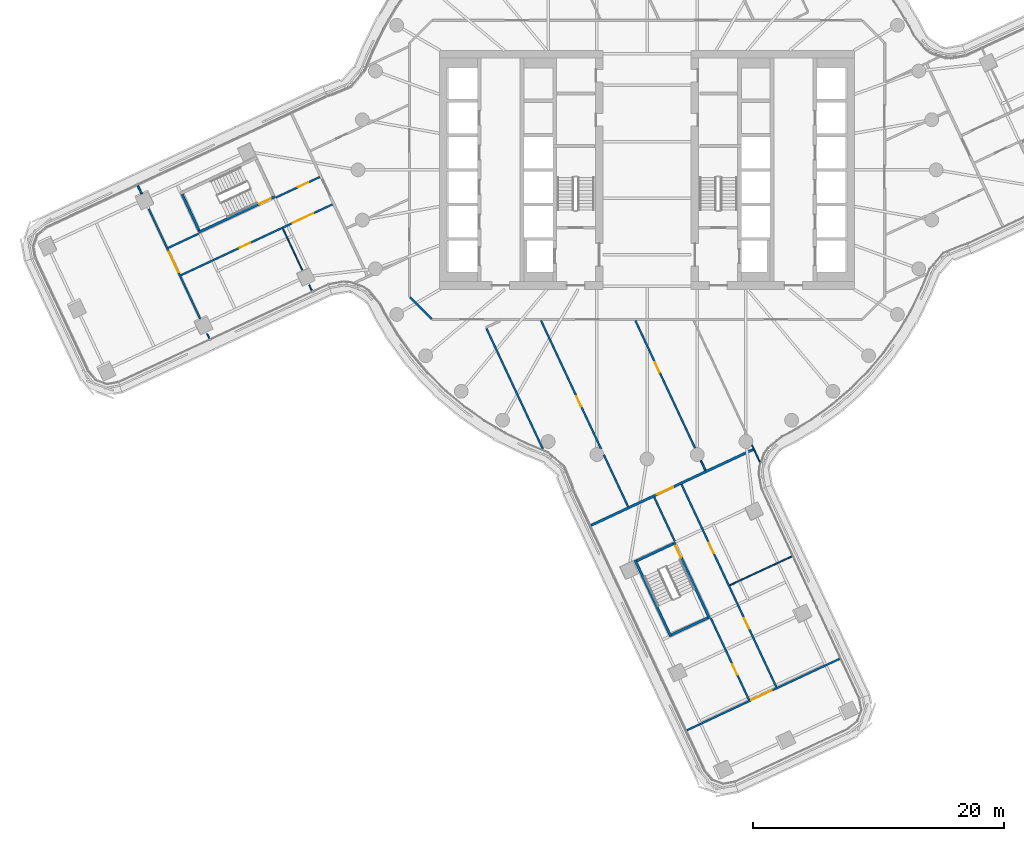
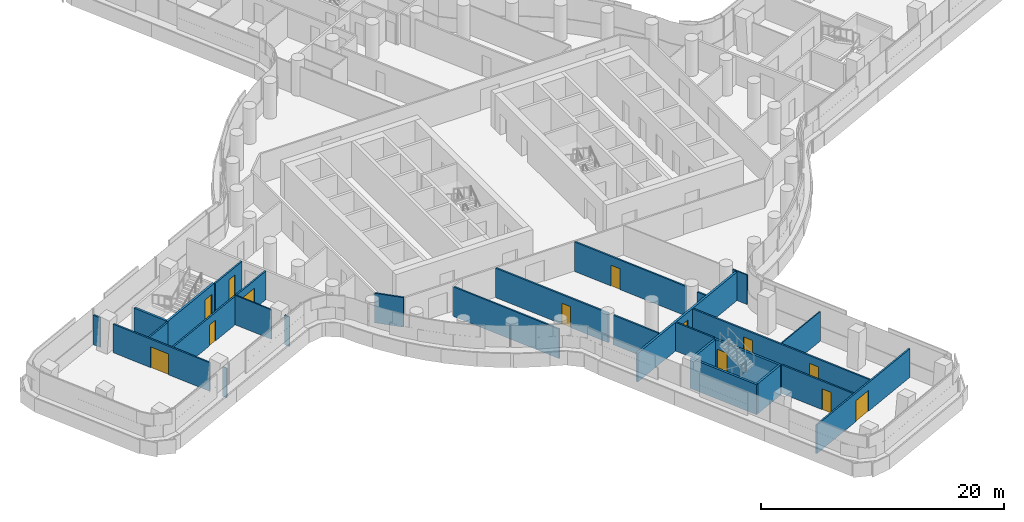
# One storey, part 23 of 36: 27 walls, 13 doors, 13 openings.
"""IFC4 building model written with IfcOpenShell, lengths in metres."""

import ifcopenshell
import ifcopenshell.guid

model = None  # the IFC model being written
_history = None  # IfcOwnerHistory: only IFC2X3 demands one
_inside = {}  # id of a spatial element -> (the spatial element, [elements in it])
_under = {}  # id of a project, library or spatial element -> (it, [spatial elements below it])
_declared = {}  # id of a project -> (the project, [libraries it declares])
_typed = {}  # id of a type object -> (the type object, [elements of that type])
_made_of = {}  # id of a material, layer set ... -> (it, [elements and type objects made of it])


def new_model(schema):
    """Start an empty IFC model of exactly this schema.

    Asked for "IFC4X3", IfcOpenShell would pick the latest addendum, in which some entities
    have other attributes; the version numbers below select the first issue.
    IFC2X3 requires an IfcOwnerHistory on every rooted entity: one is made here for all.
    """
    global model, _history
    if schema == "IFC4X3":
        model = ifcopenshell.file(schema_version=(4, 3, 0, 0))
    else:
        model = ifcopenshell.file(schema=schema)
    _inside.clear()
    _under.clear()
    _declared.clear()
    _typed.clear()
    _made_of.clear()
    _history = None
    if model.schema == "IFC2X3":
        org = make("IfcOrganization", Name="unknown")
        user = make(
            "IfcPersonAndOrganization",
            ThePerson=make("IfcPerson", FamilyName="unknown"),
            TheOrganization=org,
        )
        app = make(
            "IfcApplication",
            ApplicationDeveloper=org,
            Version="unknown",
            ApplicationFullName="unknown",
            ApplicationIdentifier="unknown",
        )
        _history = make(
            "IfcOwnerHistory",
            OwningUser=user,
            OwningApplication=app,
            ChangeAction="ADDED",
            CreationDate=0,
        )
    return model


def make(cls, **values):
    """One entity of the class cls with the attributes given. An attribute that is None is left unset."""
    return model.create_entity(
        cls, **{name: value for name, value in values.items() if value is not None}
    )


def rooted(cls, **values):
    """An entity with a GlobalId (a new one), such as an element, a storey or a relation."""
    return make(cls, GlobalId=ifcopenshell.guid.new(), OwnerHistory=_history, **values)


def si_unit(unit_type, name, prefix=None):
    """IfcSIUnit, for example si_unit("LENGTHUNIT", "METRE", prefix="MILLI")."""
    return make("IfcSIUnit", UnitType=unit_type, Prefix=prefix, Name=name)


def assignment(units):
    """IfcUnitAssignment: the units of a project."""
    return None if units is None else make("IfcUnitAssignment", Units=units)


def point(xyz):
    """IfcCartesianPoint."""
    return None if xyz is None else make("IfcCartesianPoint", Coordinates=xyz)


def direction(xyz):
    """IfcDirection."""
    return None if xyz is None else make("IfcDirection", DirectionRatios=xyz)


def frame(location, z_axis=None, x_axis=None):
    """IfcAxis2Placement3D, a coordinate frame: its origin and axes. An axis left out is left unset."""
    return make(
        "IfcAxis2Placement3D",
        Location=point(location),
        Axis=direction(z_axis),
        RefDirection=direction(x_axis),
    )


def frame_2d(location, x_axis=None):
    """IfcAxis2Placement2D, a coordinate frame in the plane: its origin and x axis."""
    return make(
        "IfcAxis2Placement2D", Location=point(location), RefDirection=direction(x_axis)
    )


def origin():
    """The frame at (0, 0, 0) with its axes left unset."""
    return frame((0.0, 0.0, 0.0))


def place(relative_to, where):
    """IfcLocalPlacement: puts the frame where relative to a parent placement (None: the world)."""
    return make(
        "IfcLocalPlacement", PlacementRelTo=relative_to, RelativePlacement=where
    )


def context(
    kind, dimensions, precision=None, world=None, true_north=None, identifier=None
):
    """IfcGeometricRepresentationContext, for example the 3D "Model" context."""
    return make(
        "IfcGeometricRepresentationContext",
        ContextIdentifier=identifier,
        ContextType=kind,
        CoordinateSpaceDimension=dimensions,
        Precision=precision,
        WorldCoordinateSystem=world,
        TrueNorth=true_north,
    )


def subcontext(parent, identifier, kind, view, scale=None):
    """IfcGeometricRepresentationSubContext, for example "Body" below "Model"."""
    return make(
        "IfcGeometricRepresentationSubContext",
        ContextIdentifier=identifier,
        ContextType=kind,
        ParentContext=parent,
        TargetScale=scale,
        TargetView=view,
    )


def project(units=None, contexts=None):
    """IfcProject with its units and contexts."""
    return rooted(
        "IfcProject",
        Name="project",
        RepresentationContexts=contexts,
        UnitsInContext=assignment(units),
    )


def spatial(cls, under=None, at=None, **own):
    """A site, building, storey or space (cls), placed at a placement, below another one or the project."""
    s = rooted(cls, ObjectPlacement=at, **own)
    if under is not None:
        _under.setdefault(under.id(), (under, []))[1].append(s)
    return s


def polyline(points):
    """IfcPolyline through the points."""
    return make("IfcPolyline", Points=[point(p) for p in points])


def profile(cls, at=None, kind="AREA", **sizes):
    """A parametric profile (cls). Its sizes go by their IFC names, for example OverallWidth=200.0."""
    return make(cls, ProfileType=kind, Position=at, **sizes)


def rectangle(**sizes):
    """IfcRectangleProfileDef."""
    return profile("IfcRectangleProfileDef", **sizes)


def outline(outer, holes=None, kind="AREA"):
    """IfcArbitraryClosedProfileDef: a profile drawn as a closed curve; with holes, ...WithVoids."""
    if holes is None:
        return make("IfcArbitraryClosedProfileDef", ProfileType=kind, OuterCurve=outer)
    return make(
        "IfcArbitraryProfileDefWithVoids",
        ProfileType=kind,
        OuterCurve=outer,
        InnerCurves=holes,
    )


def extrude(swept, where, along, depth):
    """IfcExtrudedAreaSolid: the profile swept, set in the frame where, extruded along a direction by depth."""
    return make(
        "IfcExtrudedAreaSolid",
        SweptArea=swept,
        Position=where,
        ExtrudedDirection=direction(along),
        Depth=depth,
    )


def shape(context_of_items, identifier, shape_type, items):
    """IfcShapeRepresentation: the items that make up one representation, for example the "Body"."""
    return make(
        "IfcShapeRepresentation",
        ContextOfItems=context_of_items,
        RepresentationIdentifier=identifier,
        RepresentationType=shape_type,
        Items=items,
    )


def material(Name=None, Category=None):
    """IfcMaterial."""
    return make("IfcMaterial", Name=Name, Category=Category)


def layer(
    of_material, thickness, ventilated=None, Name=None, Category=None, Priority=None
):
    """IfcMaterialLayer: one layer of a wall or slab, of a material (None: an air gap)."""
    return make(
        "IfcMaterialLayer",
        Material=of_material,
        LayerThickness=thickness,
        IsVentilated=ventilated,
        Name=Name,
        Category=Category,
        Priority=Priority,
    )


def layer_set(layers, Name=None):
    """IfcMaterialLayerSet."""
    return make("IfcMaterialLayerSet", MaterialLayers=layers, LayerSetName=Name)


def made_of(thing, what):
    """Note that an element or type object is made of a material, layer set ...; save() writes the relation."""
    if what is not None:
        _made_of.setdefault(what.id(), (what, []))[1].append(thing)
    return thing


def type_object(cls, material=None, **own):
    """A type object (cls), such as IfcWallType, which elements share."""
    return made_of(rooted(cls, **own), material)


def element(
    cls,
    number,
    at=None,
    inside=None,
    cuts=None,
    type_object=None,
    material=None,
    context=None,
    identifier="Body",
    shape_type=None,
    held_by="IfcProductDefinitionShape",
    body=None,
    shapes=None,
    **own,
):
    """One element of the class cls, such as IfcWall. Its Tag is "e" and its number.

    at: its placement. inside: the storey or other place that contains it. cuts: it is an
    opening in that element (IfcRelVoidsElement). A single representation is given by context,
    identifier, shape_type and body (its items); several are given by shapes. held_by: the class
    of the entity that holds the representations. save() writes the other relations.
    """
    e = rooted(cls, Tag="e%d" % number, ObjectPlacement=at, **own)
    if body is not None:
        shapes = [shape(context, identifier, shape_type, body)]
    if shapes is not None:
        e.Representation = make(held_by, Representations=shapes)
    if inside is not None:
        _inside.setdefault(inside.id(), (inside, []))[1].append(e)
    if cuts is not None:
        rooted(
            "IfcRelVoidsElement", RelatingBuildingElement=cuts, RelatedOpeningElement=e
        )
    if type_object is not None:
        _typed.setdefault(type_object.id(), (type_object, []))[1].append(e)
    return made_of(e, material)


def fill(opening, filler):
    """IfcRelFillsElement: the door or window that sits in an opening."""
    return rooted(
        "IfcRelFillsElement",
        RelatingOpeningElement=opening,
        RelatedBuildingElement=filler,
    )


def aggregate(whole, parts):
    """IfcRelAggregates: a whole, such as a stair, and the parts it consists of."""
    return rooted("IfcRelAggregates", RelatingObject=whole, RelatedObjects=parts)


def save(model, path):
    """Write the relations noted so far, then the file.

    IfcRelAggregates (storeys below a building ...), IfcRelContainedInSpatialStructure (elements
    in a storey), IfcRelDefinesByType, IfcRelAssociatesMaterial and IfcRelDeclares: one each for
    every whole, place, type object, material and project.
    """
    for whole, parts in _under.values():
        aggregate(whole, parts)
    for where, things in _inside.values():
        rooted(
            "IfcRelContainedInSpatialStructure",
            RelatedElements=things,
            RelatingStructure=where,
        )
    for kind, things in _typed.values():
        rooted("IfcRelDefinesByType", RelatedObjects=things, RelatingType=kind)
    for what, things in _made_of.values():
        rooted("IfcRelAssociatesMaterial", RelatedObjects=things, RelatingMaterial=what)
    for by, libraries in _declared.values():
        rooted("IfcRelDeclares", RelatingContext=by, RelatedDefinitions=libraries)
    model.write(path)


model = new_model("IFC4")

# Units and contexts
model_context = context("Model", 3, precision=1e-05, world=origin(), true_north=direction((0.0, 1.0)))
body_context = subcontext(model_context, "Body", "Model", "MODEL_VIEW")
ifc_project = project(units=[si_unit("LENGTHUNIT", "METRE"), si_unit("AREAUNIT", "SQUARE_METRE"), si_unit("VOLUMEUNIT", "CUBIC_METRE"), si_unit("PLANEANGLEUNIT", "RADIAN"), si_unit("MASSUNIT", "GRAM", prefix="KILO")], contexts=[model_context])

# Site, building, storey
site_placement = place(None, origin())
site = spatial("IfcSite", under=ifc_project, at=site_placement, CompositionType="ELEMENT")
building_placement = place(site_placement, origin())
building = spatial("IfcBuilding", under=site, at=building_placement, Name="Tamarind Cross Interchange Tower", CompositionType="ELEMENT")
storey_placement = place(building_placement, frame((0.0, 0.0, 124.75)))
storey = spatial("IfcBuildingStorey", under=building, at=storey_placement, Name="L30", CompositionType="ELEMENT", Elevation=124.75)

# Walls
ifc_material_1 = material(Name="Gypsum board partition on steel studs", Category="steel")
ifc_layer_1 = layer(ifc_material_1, 0.10009765625)
ifc_layer_set_1 = layer_set([ifc_layer_1], Name="Gypsum board partition on steel studs")
wall_type_1 = type_object("IfcWallType", Name="Partition 100 mm EI 90", PredefinedType="PARTITIONING", material=ifc_layer_set_1)
wall_1_placement = place(storey_placement, frame((-34.99755859375, -13.043212890625, 0.0), z_axis=(0.0, 0.0, 1.0), x_axis=(0.423605928127, -0.905846575119, 0.0)))
element("IfcWall", 1, at=wall_1_placement, inside=storey, type_object=wall_type_1, Name="Partition L30-003", PredefinedType="PARTITIONING", context=body_context, shape_type="SweptSolid", body=[
    extrude(rectangle(XDim=0.407958984375, YDim=0.10009765625, at=frame_2d((0.2041015625, 0.0))), origin(), (0.0, 0.0, 1.0), 2.969970703125),
])
wall_2_placement = place(storey_placement, frame((-28.977294921875, -4.6728515625, 0.0), z_axis=(0.0, 0.0, 1.0), x_axis=(0.423841599809, -0.905736329332, 0.0)))
element("IfcWall", 2, at=wall_2_placement, inside=storey, type_object=wall_type_1, Name="Partition L30-004", PredefinedType="PARTITIONING", context=body_context, shape_type="SweptSolid", body=[
    extrude(rectangle(XDim=3.633544921875, YDim=0.10009765625, at=frame_2d((1.81689453125, 0.0))), origin(), (0.0, 0.0, 1.0), 2.969970703125),
])
wall_3_placement = place(storey_placement, frame((-26.8798828125, -9.154541015625, 0.0), z_axis=(0.0, 0.0, 1.0), x_axis=(0.423519130121, -0.905887159872, 0.0)))
element("IfcWall", 3, at=wall_3_placement, inside=storey, type_object=wall_type_1, Name="Partition L30-005", PredefinedType="PARTITIONING", context=body_context, shape_type="SweptSolid", body=[
    extrude(rectangle(XDim=0.506103515625, YDim=0.10009765625, at=frame_2d((0.2529296875, 0.0))), origin(), (0.0, 0.0, 1.0), 2.969970703125),
])
wall_4_placement = place(storey_placement, frame((8.343994140625, -21.900390625, 0.0), z_axis=(0.0, 0.0, 1.0), x_axis=(0.423763938656, -0.905772667006, 0.0)))
element("IfcWall", 4, at=wall_4_placement, inside=storey, type_object=wall_type_1, Name="Partition L30-028", PredefinedType="PARTITIONING", context=body_context, shape_type="SweptSolid", body=[
    extrude(rectangle(XDim=1.475341796875, YDim=0.10009765625, at=frame_2d((0.73779296875, 0.0))), origin(), (0.0, 0.0, 1.0), 2.969970703125),
])
wall_5_placement = place(storey_placement, frame((6.579833984375, -33.05322265625, 0.0), z_axis=(0.0, 0.0, 1.0), x_axis=(0.905786512013, 0.423734344438, 0.0)))
element("IfcWall", 5, at=wall_5_placement, inside=storey, type_object=wall_type_1, Name="Partition L30-067", PredefinedType="PARTITIONING", context=body_context, shape_type="SweptSolid", body=[
    extrude(rectangle(XDim=5.446533203125, YDim=0.10009765625, at=frame_2d((2.72314453125, 0.0))), origin(), (0.0, 0.0, 1.0), 2.969970703125),
])
ifc_layer_2 = layer(ifc_material_1, 0.14990234375)
ifc_layer_set_2 = layer_set([ifc_layer_2], Name="Gypsum board partition on steel studs")
wall_type_2 = type_object("IfcWallType", Name="Partition 150 mm EI 120", PredefinedType="PARTITIONING", material=ifc_layer_set_2)
wall_6_placement = place(storey_placement, frame((-40.508544921875, -1.26416015625, 0.0), z_axis=(0.0, 0.0, 1.0), x_axis=(0.423771735818, -0.905769019078, 0.0)))
element("IfcWall", 6, at=wall_6_placement, inside=storey, type_object=wall_type_2, Name="Partition L30-001", PredefinedType="PARTITIONING", context=body_context, shape_type="SweptSolid", body=[
    extrude(rectangle(XDim=0.708740234375, YDim=0.14990234375, at=frame_2d((0.3544921875, 0.0))), origin(), (0.0, 0.0, 1.0), 2.969970703125),
])

# Wall, opening, door
wall_7_placement = place(storey_placement, frame((-39.651123046875, -3.0966796875, 0.0), z_axis=(0.0, 0.0, 1.0), x_axis=(0.423775684495, -0.905767171646, 0.0)))
wall_7 = element("IfcWall", 7, at=wall_7_placement, inside=storey, type_object=wall_type_2, Name="Partition L30-002", PredefinedType="PARTITIONING", context=body_context, shape_type="SweptSolid", body=[
    extrude(rectangle(XDim=9.66650390625, YDim=0.14990234375, at=frame_2d((4.833251953125, 0.0))), origin(), (0.0, 0.0, 1.0), 2.8701171875),
])
opening_1_placement = place(wall_7_placement, frame((3.77587890625, 0.0, 0.0)))
opening_1 = element("IfcOpeningElement", 8, at=opening_1_placement, cuts=wall_7, Name="Opening D01", PredefinedType="OPENING", context=body_context, shape_type="SweptSolid", body=[
    extrude(rectangle(XDim=1.800048828125, YDim=2.10009765625, at=frame_2d((0.89990234375, 1.050048828125))), frame((0.0, 0.0849609375, 0.0), z_axis=(0.0, -1.0, 0.0), x_axis=(1.0, 0.0, 0.0)), (0.0, 0.0, 1.0), 0.169921875),
])
ifc_material_2 = material(Name="Fire-resisting door set")
door_type_1 = type_object("IfcDoorType", Name="Interior door 1800 x 2100 FD60S", OperationType="DOUBLE_DOOR_SINGLE_SWING", PredefinedType="DOOR", material=ifc_material_2)
door_1_placement = place(opening_1_placement, frame((1.800048828125, 0.0, 0.0), z_axis=(0.0, 0.0, 1.0), x_axis=(-1.0, 0.0, 0.0)))
door_1 = element("IfcDoor", 9, at=door_1_placement, inside=storey, type_object=door_type_1, Name="Door D01", OperationType="DOUBLE_DOOR_SINGLE_SWING", OverallHeight=2.10009765625, OverallWidth=1.800048828125, PredefinedType="DOOR", context=body_context, shape_type="SweptSolid", body=[
    extrude(rectangle(XDim=1.800048828125, YDim=2.10009765625, at=frame_2d((0.89990234375, 1.050048828125))), frame((0.0, 0.02490234375, 0.0), z_axis=(0.0, -1.0, 0.0), x_axis=(1.0, 0.0, 0.0)), (0.0, 0.0, 1.0), 0.050048828125),
])
fill(opening_1, door_1)

# Wall
wall_8_placement = place(storey_placement, frame((-12.78515625, -12.60791015625, 0.0), z_axis=(0.0, 0.0, 1.0), x_axis=(0.423824721298, -0.905744227482, 0.0)))
element("IfcWall", 10, at=wall_8_placement, inside=storey, type_object=wall_type_2, Name="Partition L30-007", PredefinedType="PARTITIONING", context=body_context, shape_type="SweptSolid", body=[
    extrude(rectangle(XDim=10.5986328125, YDim=0.14990234375, at=frame_2d((5.29931640625, 0.0))), origin(), (0.0, 0.0, 1.0), 2.969970703125),
])

# Wall, opening, door
wall_9_placement = place(storey_placement, frame((-8.4375, -11.990478515625, 0.0), z_axis=(0.0, 0.0, 1.0), x_axis=(0.423822202293, -0.905745406195, 0.0)))
wall_9 = element("IfcWall", 11, at=wall_9_placement, inside=storey, type_object=wall_type_2, Name="Partition L30-011", PredefinedType="PARTITIONING", context=body_context, shape_type="SweptSolid", body=[
    extrude(rectangle(XDim=11.311767578125, YDim=0.14990234375, at=frame_2d((5.65576171875, 0.0))), origin(), (0.0, 0.0, 1.0), 2.969970703125),
])
opening_2_placement = place(wall_9_placement, frame((6.64990234375, 0.0, 0.0)))
opening_2 = element("IfcOpeningElement", 12, at=opening_2_placement, cuts=wall_9, Name="Opening D08", PredefinedType="OPENING", context=body_context, shape_type="SweptSolid", body=[
    extrude(rectangle(XDim=0.89990234375, YDim=2.10009765625, at=frame_2d((0.449951171875, 1.050048828125))), frame((0.0, 0.0849609375, 0.0), z_axis=(0.0, -1.0, 0.0), x_axis=(1.0, 0.0, 0.0)), (0.0, 0.0, 1.0), 0.169921875),
])
door_type_2 = type_object("IfcDoorType", Name="Interior door 900 x 2100 FD60S", OperationType="SINGLE_SWING_LEFT", PredefinedType="DOOR", material=ifc_material_2)
door_2_placement = place(opening_2_placement, frame((0.89990234375, 0.0, 0.0), z_axis=(0.0, 0.0, 1.0), x_axis=(-1.0, 0.0, 0.0)))
door_2 = element("IfcDoor", 13, at=door_2_placement, inside=storey, type_object=door_type_2, Name="Door D08", OperationType="SINGLE_SWING_RIGHT", OverallHeight=2.10009765625, OverallWidth=0.89990234375, PredefinedType="DOOR", context=body_context, shape_type="SweptSolid", body=[
    extrude(rectangle(XDim=0.89990234375, YDim=2.10009765625, at=frame_2d((0.449951171875, 1.050048828125))), frame((0.0, 0.02490234375, 0.0), z_axis=(0.0, -1.0, 0.0), x_axis=(1.0, 0.0, 0.0)), (0.0, 0.0, 1.0), 0.050048828125),
])
fill(opening_2, door_2)

# Wall
wall_10_placement = place(storey_placement, frame((-3.439697265625, -22.671630859375, 0.0), z_axis=(0.0, 0.0, 1.0), x_axis=(0.423855723132, -0.905729720153, 0.0)))
element("IfcWall", 14, at=wall_10_placement, inside=storey, type_object=wall_type_2, Name="Partition L30-012", PredefinedType="PARTITIONING", context=body_context, shape_type="SweptSolid", body=[
    extrude(rectangle(XDim=4.544677734375, YDim=0.14990234375, at=frame_2d((2.2724609375, 0.0))), origin(), (0.0, 0.0, 1.0), 2.969970703125),
])

# Wall, opening, door
wall_11_placement = place(storey_placement, frame((-0.9296875, -11.990478515625, 0.0), z_axis=(0.0, 0.0, 1.0), x_axis=(0.42379671438, -0.905757332226, 0.0)))
wall_11 = element("IfcWall", 15, at=wall_11_placement, inside=storey, type_object=wall_type_2, Name="Partition L30-018", PredefinedType="PARTITIONING", context=body_context, shape_type="SweptSolid", body=[
    extrude(rectangle(XDim=11.203125, YDim=0.14990234375, at=frame_2d((5.6015625, 0.0))), origin(), (0.0, 0.0, 1.0), 2.969970703125),
])
opening_3_placement = place(wall_11_placement, frame((3.64990234375, 0.0, 0.0)))
opening_3 = element("IfcOpeningElement", 16, at=opening_3_placement, cuts=wall_11, Name="Opening D14", PredefinedType="OPENING", context=body_context, shape_type="SweptSolid", body=[
    extrude(rectangle(XDim=0.89990234375, YDim=2.10009765625, at=frame_2d((0.449951171875, 1.050048828125))), frame((0.0, 0.0849609375, 0.0), z_axis=(0.0, -1.0, 0.0), x_axis=(1.0, 0.0, 0.0)), (0.0, 0.0, 1.0), 0.169921875),
])
door_3_placement = place(opening_3_placement, origin())
door_3 = element("IfcDoor", 17, at=door_3_placement, inside=storey, type_object=door_type_2, Name="Door D14", OperationType="SINGLE_SWING_RIGHT", OverallHeight=2.10009765625, OverallWidth=0.89990234375, PredefinedType="DOOR", context=body_context, shape_type="SweptSolid", body=[
    extrude(rectangle(XDim=0.89990234375, YDim=2.10009765625, at=frame_2d((0.449951171875, 1.050048828125))), frame((0.0, 0.02490234375, 0.0), z_axis=(0.0, -1.0, 0.0), x_axis=(1.0, 0.0, 0.0)), (0.0, 0.0, 1.0), 0.050048828125),
])
fill(opening_3, door_3)

# Walls
wall_12_placement = place(storey_placement, frame((4.281494140625, -23.1279296875, 0.0), z_axis=(0.0, 0.0, 1.0), x_axis=(0.423756569473, -0.905776114627, 0.0)))
element("IfcWall", 18, at=wall_12_placement, inside=storey, type_object=wall_type_2, Name="Partition L30-019", PredefinedType="PARTITIONING", context=body_context, shape_type="SweptSolid", body=[
    extrude(rectangle(XDim=0.859130859375, YDim=0.14990234375, at=frame_2d((0.4296875, 0.0))), origin(), (0.0, 0.0, 1.0), 2.8701171875),
])
wall_13_placement = place(storey_placement, frame((0.56640625, -26.04052734375, 0.0), z_axis=(0.0, 0.0, 1.0), x_axis=(0.423709382573, -0.905798188958, 0.0)))
element("IfcWall", 19, at=wall_13_placement, inside=storey, type_object=wall_type_2, Name="Partition L30-021", PredefinedType="PARTITIONING", context=body_context, shape_type="SweptSolid", body=[
    extrude(rectangle(XDim=3.85986328125, YDim=0.14990234375, at=frame_2d((1.929931640625, 0.0))), origin(), (0.0, 0.0, 1.0), 2.8701171875),
])

# Wall, opening, door
wall_14_placement = place(storey_placement, frame((5.07470703125, -35.678466796875, 0.0), z_axis=(0.0, 0.0, 1.0), x_axis=(0.423708057889, -0.905798808611, 0.0)))
wall_14 = element("IfcWall", 20, at=wall_14_placement, inside=storey, type_object=wall_type_2, Name="Partition L30-022", PredefinedType="PARTITIONING", context=body_context, shape_type="SweptSolid", body=[
    extrude(rectangle(XDim=7.179931640625, YDim=0.14990234375, at=frame_2d((3.58984375, 0.0))), origin(), (0.0, 0.0, 1.0), 2.8701171875),
])
opening_4_placement = place(wall_14_placement, frame((4.050048828125, 0.0, 0.0)))
opening_4 = element("IfcOpeningElement", 21, at=opening_4_placement, cuts=wall_14, Name="Opening D16", PredefinedType="OPENING", context=body_context, shape_type="SweptSolid", body=[
    extrude(rectangle(XDim=0.89990234375, YDim=2.10009765625, at=frame_2d((0.449951171875, 1.050048828125))), frame((0.0, 0.0849609375, 0.0), z_axis=(0.0, -1.0, 0.0), x_axis=(1.0, 0.0, 0.0)), (0.0, 0.0, 1.0), 0.169921875),
])
door_4_placement = place(opening_4_placement, frame((0.89990234375, 0.0, 0.0), z_axis=(0.0, 0.0, 1.0), x_axis=(-1.0, 0.0, 0.0)))
door_4 = element("IfcDoor", 22, at=door_4_placement, inside=storey, type_object=door_type_2, Name="Door D16", OperationType="SINGLE_SWING_RIGHT", OverallHeight=2.10009765625, OverallWidth=0.89990234375, PredefinedType="DOOR", context=body_context, shape_type="SweptSolid", body=[
    extrude(rectangle(XDim=0.89990234375, YDim=2.10009765625, at=frame_2d((0.449951171875, 1.050048828125))), frame((0.0, 0.02490234375, 0.0), z_axis=(0.0, -1.0, 0.0), x_axis=(1.0, 0.0, 0.0)), (0.0, 0.0, 1.0), 0.050048828125),
])
fill(opening_4, door_4)

# Wall, openings, doors
wall_15_placement = place(storey_placement, frame((2.741455078125, -25.028076171875, 0.0), z_axis=(0.0, 0.0, 1.0), x_axis=(0.423815496234, -0.905748544107, 0.0)))
wall_15 = element("IfcWall", 23, at=wall_15_placement, inside=storey, type_object=wall_type_2, Name="Partition L30-024", PredefinedType="PARTITIONING", context=body_context, shape_type="SweptSolid", body=[
    extrude(rectangle(XDim=17.815673828125, YDim=0.14990234375, at=frame_2d((8.90771484375, 0.0))), origin(), (0.0, 0.0, 1.0), 2.8701171875),
])
opening_5_placement = place(wall_15_placement, frame((5.14501953125, 0.0, 0.0)))
opening_5 = element("IfcOpeningElement", 24, at=opening_5_placement, cuts=wall_15, Name="Opening D18", PredefinedType="OPENING", context=body_context, shape_type="SweptSolid", body=[
    extrude(rectangle(XDim=0.89990234375, YDim=2.10009765625, at=frame_2d((0.449951171875, 1.050048828125))), frame((0.0, 0.0849609375, 0.0), z_axis=(0.0, -1.0, 0.0), x_axis=(1.0, 0.0, 0.0)), (0.0, 0.0, 1.0), 0.169921875),
])
opening_6_placement = place(wall_15_placement, frame((11.74560546875, 0.0, 0.0)))
opening_6 = element("IfcOpeningElement", 25, at=opening_6_placement, cuts=wall_15, Name="Opening D19", PredefinedType="OPENING", context=body_context, shape_type="SweptSolid", body=[
    extrude(rectangle(XDim=0.89990234375, YDim=2.10009765625, at=frame_2d((0.449951171875, 1.050048828125))), frame((0.0, 0.0849609375, 0.0), z_axis=(0.0, -1.0, 0.0), x_axis=(1.0, 0.0, 0.0)), (0.0, 0.0, 1.0), 0.169921875),
])
door_5_placement = place(opening_5_placement, origin())
door_5 = element("IfcDoor", 26, at=door_5_placement, inside=storey, type_object=door_type_2, Name="Door D18", OperationType="SINGLE_SWING_RIGHT", OverallHeight=2.10009765625, OverallWidth=0.89990234375, PredefinedType="DOOR", context=body_context, shape_type="SweptSolid", body=[
    extrude(rectangle(XDim=0.89990234375, YDim=2.10009765625, at=frame_2d((0.449951171875, 1.050048828125))), frame((0.0, 0.02490234375, 0.0), z_axis=(0.0, -1.0, 0.0), x_axis=(1.0, 0.0, 0.0)), (0.0, 0.0, 1.0), 0.050048828125),
])
fill(opening_5, door_5)
door_6_placement = place(opening_6_placement, origin())
door_6 = element("IfcDoor", 27, at=door_6_placement, inside=storey, type_object=door_type_2, Name="Door D19", OperationType="SINGLE_SWING_LEFT", OverallHeight=2.10009765625, OverallWidth=0.89990234375, PredefinedType="DOOR", context=body_context, shape_type="SweptSolid", body=[
    extrude(rectangle(XDim=0.89990234375, YDim=2.10009765625, at=frame_2d((0.449951171875, 1.050048828125))), frame((0.0, 0.02490234375, 0.0), z_axis=(0.0, -1.0, 0.0), x_axis=(1.0, 0.0, 0.0)), (0.0, 0.0, 1.0), 0.050048828125),
])
fill(opening_6, door_6)

# Walls
wall_16_placement = place(storey_placement, frame((-18.87158203125, -10.12841796875, 0.0), z_axis=(0.0, 0.0, 1.0), x_axis=(0.707106781187, -0.707106781187, 0.0)))
element("IfcWall", 28, at=wall_16_placement, inside=storey, type_object=wall_type_2, Name="Partition L30-035", PredefinedType="PARTITIONING", context=body_context, shape_type="SweptSolid", body=[
    extrude(rectangle(XDim=2.465087890625, YDim=0.14990234375, at=frame_2d((1.232421875, 0.0))), origin(), (0.0, 0.0, 1.0), 2.969970703125),
])
wall_17_placement = place(storey_placement, frame((-38.110107421875, -6.213134765625, 0.0), z_axis=(0.0, 0.0, 1.0), x_axis=(0.905797160648, 0.423711580869, 0.0)))
element("IfcWall", 29, at=wall_17_placement, inside=storey, type_object=wall_type_2, Name="Partition L30-039", PredefinedType="PARTITIONING", context=body_context, shape_type="SweptSolid", body=[
    extrude(rectangle(XDim=2.68505859375, YDim=0.14990234375, at=frame_2d((1.342529296875, 0.0))), origin(), (0.0, 0.0, 1.0), 2.8701171875),
])

# Wall, opening, door
wall_18_placement = place(storey_placement, frame((-29.53662109375, -2.2021484375, 0.0), z_axis=(0.0, 0.0, 1.0), x_axis=(0.905762554572, 0.423785552768, 0.0)))
wall_18 = element("IfcWall", 30, at=wall_18_placement, inside=storey, type_object=wall_type_2, Name="Partition L30-040", PredefinedType="PARTITIONING", context=body_context, shape_type="SweptSolid", body=[
    extrude(rectangle(XDim=3.85986328125, YDim=0.14990234375, at=frame_2d((1.929931640625, 0.0))), origin(), (0.0, 0.0, 1.0), 2.8701171875),
])
opening_7_placement = place(wall_18_placement, frame((1.949951171875, 0.0, 0.0)))
opening_7 = element("IfcOpeningElement", 31, at=opening_7_placement, cuts=wall_18, Name="Opening D29", PredefinedType="OPENING", context=body_context, shape_type="SweptSolid", body=[
    extrude(rectangle(XDim=0.89990234375, YDim=2.10009765625, at=frame_2d((0.449951171875, 1.050048828125))), frame((0.0, 0.0849609375, 0.0), z_axis=(0.0, -1.0, 0.0), x_axis=(1.0, 0.0, 0.0)), (0.0, 0.0, 1.0), 0.169921875),
])
door_7_placement = place(opening_7_placement, origin())
door_7 = element("IfcDoor", 32, at=door_7_placement, inside=storey, type_object=door_type_2, Name="Door D29", OperationType="SINGLE_SWING_LEFT", OverallHeight=2.10009765625, OverallWidth=0.89990234375, PredefinedType="DOOR", context=body_context, shape_type="SweptSolid", body=[
    extrude(rectangle(XDim=0.89990234375, YDim=2.10009765625, at=frame_2d((0.449951171875, 1.050048828125))), frame((0.0, 0.02490234375, 0.0), z_axis=(0.0, -1.0, 0.0), x_axis=(1.0, 0.0, 0.0)), (0.0, 0.0, 1.0), 0.050048828125),
])
fill(opening_7, door_7)

# Wall, openings, doors
wall_19_placement = place(storey_placement, frame((-37.093017578125, -8.38720703125, 0.0), z_axis=(0.0, 0.0, 1.0), x_axis=(0.905765973865, 0.423778244591, 0.0)))
wall_19 = element("IfcWall", 33, at=wall_19_placement, inside=storey, type_object=wall_type_2, Name="Partition L30-041", PredefinedType="PARTITIONING", context=body_context, shape_type="SweptSolid", body=[
    extrude(rectangle(XDim=13.32080078125, YDim=0.14990234375, at=frame_2d((6.660400390625, 0.0))), origin(), (0.0, 0.0, 1.0), 2.8701171875),
])
opening_8_placement = place(wall_19_placement, frame((5.175048828125, 0.0, 0.0)))
opening_8 = element("IfcOpeningElement", 34, at=opening_8_placement, cuts=wall_19, Name="Opening D30", PredefinedType="OPENING", context=body_context, shape_type="SweptSolid", body=[
    extrude(rectangle(XDim=0.89990234375, YDim=2.10009765625, at=frame_2d((0.449951171875, 1.050048828125))), frame((0.0, 0.0849609375, 0.0), z_axis=(0.0, -1.0, 0.0), x_axis=(1.0, 0.0, 0.0)), (0.0, 0.0, 1.0), 0.169921875),
])
opening_9_placement = place(wall_19_placement, frame((9.8251953125, 0.0, 0.0)))
opening_9 = element("IfcOpeningElement", 35, at=opening_9_placement, cuts=wall_19, Name="Opening D31", PredefinedType="OPENING", context=body_context, shape_type="SweptSolid", body=[
    extrude(rectangle(XDim=1.800048828125, YDim=2.10009765625, at=frame_2d((0.89990234375, 1.050048828125))), frame((0.0, 0.0849609375, 0.0), z_axis=(0.0, -1.0, 0.0), x_axis=(1.0, 0.0, 0.0)), (0.0, 0.0, 1.0), 0.169921875),
])
door_8_placement = place(opening_9_placement, frame((1.800048828125, 0.0, 0.0), z_axis=(0.0, 0.0, 1.0), x_axis=(-1.0, 0.0, 0.0)))
door_8 = element("IfcDoor", 36, at=door_8_placement, inside=storey, type_object=door_type_1, Name="Door D31", OperationType="DOUBLE_DOOR_SINGLE_SWING", OverallHeight=2.10009765625, OverallWidth=1.800048828125, PredefinedType="DOOR", context=body_context, shape_type="SweptSolid", body=[
    extrude(rectangle(XDim=1.800048828125, YDim=2.10009765625, at=frame_2d((0.89990234375, 1.050048828125))), frame((0.0, 0.02490234375, 0.0), z_axis=(0.0, -1.0, 0.0), x_axis=(1.0, 0.0, 0.0)), (0.0, 0.0, 1.0), 0.050048828125),
])
fill(opening_9, door_8)
door_9_placement = place(opening_8_placement, frame((0.89990234375, 0.0, 0.0), z_axis=(0.0, 0.0, 1.0), x_axis=(-1.0, 0.0, 0.0)))
door_9 = element("IfcDoor", 37, at=door_9_placement, inside=storey, type_object=door_type_2, Name="Door D30", OperationType="SINGLE_SWING_LEFT", OverallHeight=2.10009765625, OverallWidth=0.89990234375, PredefinedType="DOOR", context=body_context, shape_type="SweptSolid", body=[
    extrude(rectangle(XDim=0.89990234375, YDim=2.10009765625, at=frame_2d((0.449951171875, 1.050048828125))), frame((0.0, 0.02490234375, 0.0), z_axis=(0.0, -1.0, 0.0), x_axis=(1.0, 0.0, 0.0)), (0.0, 0.0, 1.0), 0.050048828125),
])
fill(opening_8, door_9)

# Wall, opening, door
wall_20_placement = place(storey_placement, frame((3.17138671875, -44.58447265625, 0.0), z_axis=(0.0, 0.0, 1.0), x_axis=(0.905741999601, 0.423829482409, 0.0)))
wall_20 = element("IfcWall", 38, at=wall_20_placement, inside=storey, type_object=wall_type_2, Name="Partition L30-066", PredefinedType="PARTITIONING", context=body_context, shape_type="SweptSolid", body=[
    extrude(rectangle(XDim=13.404296875, YDim=0.14990234375, at=frame_2d((6.7021484375, 0.0))), origin(), (0.0, 0.0, 1.0), 2.8701171875),
])
opening_10_placement = place(wall_20_placement, frame((5.64892578125, 0.0, 0.0)))
opening_10 = element("IfcOpeningElement", 39, at=opening_10_placement, cuts=wall_20, Name="Opening D36", PredefinedType="OPENING", context=body_context, shape_type="SweptSolid", body=[
    extrude(rectangle(XDim=1.800048828125, YDim=2.10009765625, at=frame_2d((0.89990234375, 1.050048828125))), frame((0.0, 0.0849609375, 0.0), z_axis=(0.0, -1.0, 0.0), x_axis=(1.0, 0.0, 0.0)), (0.0, 0.0, 1.0), 0.169921875),
])
door_10_placement = place(opening_10_placement, frame((1.800048828125, 0.0, 0.0), z_axis=(0.0, 0.0, 1.0), x_axis=(-1.0, 0.0, 0.0)))
door_10 = element("IfcDoor", 40, at=door_10_placement, inside=storey, type_object=door_type_1, Name="Door D36", OperationType="DOUBLE_DOOR_SINGLE_SWING", OverallHeight=2.10009765625, OverallWidth=1.800048828125, PredefinedType="DOOR", context=body_context, shape_type="SweptSolid", body=[
    extrude(rectangle(XDim=1.800048828125, YDim=2.10009765625, at=frame_2d((0.89990234375, 1.050048828125))), frame((0.0, 0.02490234375, 0.0), z_axis=(0.0, -1.0, 0.0), x_axis=(1.0, 0.0, 0.0)), (0.0, 0.0, 1.0), 0.050048828125),
])
fill(opening_10, door_10)

ifc_layer_3 = layer(ifc_material_1, 0.199951171875)
ifc_layer_set_3 = layer_set([ifc_layer_3], Name="Gypsum board partition on steel studs")
wall_type_3 = type_object("IfcWallType", Name="Partition 200 mm EI 180", PredefinedType="PARTITIONING", material=ifc_layer_set_3)
wall_21_placement = place(storey_placement, frame((-4.457275390625, -28.28076171875, 0.0), z_axis=(0.0, 0.0, 1.0), x_axis=(0.905756469358, 0.423798558534, 0.0)))
wall_21 = element("IfcWall", 41, at=wall_21_placement, inside=storey, type_object=wall_type_3, Name="Partition L30-063", PredefinedType="PARTITIONING", context=body_context, shape_type="SweptSolid", body=[
    extrude(rectangle(XDim=14.239013671875, YDim=0.199951171875, at=frame_2d((7.11962890625, 0.0))), origin(), (0.0, 0.0, 1.0), 2.8701171875),
])
opening_11_placement = place(wall_21_placement, frame((5.799560546875, 0.0, 0.0)))
opening_11 = element("IfcOpeningElement", 42, at=opening_11_placement, cuts=wall_21, Name="Opening D35", PredefinedType="OPENING", context=body_context, shape_type="SweptSolid", body=[
    extrude(rectangle(XDim=1.39990234375, YDim=2.10009765625, at=frame_2d((0.699951171875, 1.050048828125))), frame((0.0, 0.10986328125, 0.0), z_axis=(0.0, -1.0, 0.0), x_axis=(1.0, 0.0, 0.0)), (0.0, 0.0, 1.0), 0.219970703125),
])
door_type_3 = type_object("IfcDoorType", Name="Interior door 1400 x 2100 FD120S", OperationType="DOUBLE_DOOR_SINGLE_SWING", PredefinedType="DOOR", material=ifc_material_2)
door_11_placement = place(opening_11_placement, origin())
door_11 = element("IfcDoor", 43, at=door_11_placement, inside=storey, type_object=door_type_3, Name="Door D35", OperationType="DOUBLE_DOOR_SINGLE_SWING", OverallHeight=2.10009765625, OverallWidth=1.39990234375, PredefinedType="DOOR", context=body_context, shape_type="SweptSolid", body=[
    extrude(rectangle(XDim=1.39990234375, YDim=2.10009765625, at=frame_2d((0.699951171875, 1.050048828125))), frame((0.0, 0.02490234375, 0.0), z_axis=(0.0, -1.0, 0.0), x_axis=(1.0, 0.0, 0.0)), (0.0, 0.0, 1.0), 0.050048828125),
])
fill(opening_11, door_11)

ifc_material_3 = material(Name="Concrete C40", Category="concrete")
ifc_layer_4 = layer(ifc_material_3, 0.199951171875)
ifc_layer_set_4 = layer_set([ifc_layer_4], Name="Concrete C40")
wall_type_4 = type_object("IfcWallType", Name="Stair shaft wall 200 mm Concrete C40", PredefinedType="SHEAR", material=ifc_layer_set_4)
wall_22_placement = place(storey_placement, frame((-29.61572265625, -2.128173828125, -0.139892578125), z_axis=(0.0, 0.0, 1.0), x_axis=(-0.90574886028, -0.42381482053, 0.0)))
wall_22 = element("IfcWall", 44, at=wall_22_placement, inside=storey, type_object=wall_type_4, Name="Core wall CWL-L30-ST5-H", PredefinedType="SHEAR", context=body_context, shape_type="SweptSolid", body=[
    extrude(rectangle(XDim=6.7001953125, YDim=0.199951171875, at=frame_2d((3.35009765625, 0.0))), origin(), (0.0, 0.0, 1.0), 3.010009765625),
])
opening_12_placement = place(wall_22_placement, frame((0.35009765625, 0.0, 0.0)))
opening_12 = element("IfcOpeningElement", 45, at=opening_12_placement, cuts=wall_22, Name="Opening ST5L30", PredefinedType="OPENING", context=body_context, shape_type="SweptSolid", body=[
    extrude(rectangle(XDim=1.0, YDim=2.10009765625, at=frame_2d((0.5, 1.050048828125))), frame((0.0, 0.10986328125, 0.0), z_axis=(0.0, -1.0, 0.0), x_axis=(1.0, 0.0, 0.0)), (0.0, 0.0, 1.0), 0.219970703125),
])
ifc_material_4 = material(Name="Steel, fire-resisting", Category="steel")
door_type_4 = type_object("IfcDoorType", Name="Core fire door 1000 x 2100 FD90", OperationType="SINGLE_SWING_LEFT", PredefinedType="DOOR", material=ifc_material_4)
door_12_placement = place(opening_12_placement, origin())
door_12 = element("IfcDoor", 46, at=door_12_placement, inside=storey, type_object=door_type_4, Name="L30 stair door ST5", OperationType="SINGLE_SWING_LEFT", OverallHeight=2.10009765625, OverallWidth=1.0, PredefinedType="DOOR", context=body_context, shape_type="SweptSolid", body=[
    extrude(rectangle(XDim=1.0, YDim=2.10009765625, at=frame_2d((0.5, 1.050048828125))), frame((0.0, 0.02490234375, 0.0), z_axis=(0.0, -1.0, 0.0), x_axis=(1.0, 0.0, 0.0)), (0.0, 0.0, 1.0), 0.050048828125),
])
fill(opening_12, door_12)

# Wall
wall_23_placement = place(storey_placement, frame((0.0, 0.0, -0.139892578125)))
element("IfcWall", 47, at=wall_23_placement, inside=storey, type_object=wall_type_4, Name="Core wall CWL-L30-ST5-CF", PredefinedType="SHEAR", context=body_context, shape_type="SweptSolid", body=[
    extrude(outline(polyline([(-36.90185546875, -1.89404296875), (-37.0830078125, -1.978759765625), (-35.726806640625, -4.877197265625), (-35.545654296875, -4.79248046875), (-36.90185546875, -1.89404296875)])), origin(), (0.0, 0.0, 1.0), 3.010009765625),
])

# Wall, opening, door
wall_24_placement = place(storey_placement, frame((2.128173828125, -29.61572265625, -0.139892578125), z_axis=(0.0, 0.0, 1.0), x_axis=(0.42381482053, -0.90574886028, 0.0)))
wall_24 = element("IfcWall", 48, at=wall_24_placement, inside=storey, type_object=wall_type_4, Name="Core wall CWL-L30-ST6-H", PredefinedType="SHEAR", context=body_context, shape_type="SweptSolid", body=[
    extrude(rectangle(XDim=6.7001953125, YDim=0.199951171875, at=frame_2d((3.35009765625, 0.0))), origin(), (0.0, 0.0, 1.0), 3.010009765625),
])
opening_13_placement = place(wall_24_placement, frame((0.35009765625, 0.0, 0.0)))
opening_13 = element("IfcOpeningElement", 49, at=opening_13_placement, cuts=wall_24, Name="Opening ST6L30", PredefinedType="OPENING", context=body_context, shape_type="SweptSolid", body=[
    extrude(rectangle(XDim=1.0, YDim=2.10009765625, at=frame_2d((0.5, 1.050048828125))), frame((0.0, 0.10986328125, 0.0), z_axis=(0.0, -1.0, 0.0), x_axis=(1.0, 0.0, 0.0)), (0.0, 0.0, 1.0), 0.219970703125),
])
door_13_placement = place(opening_13_placement, origin())
door_13 = element("IfcDoor", 50, at=door_13_placement, inside=storey, type_object=door_type_4, Name="L30 stair door ST6", OperationType="SINGLE_SWING_LEFT", OverallHeight=2.10009765625, OverallWidth=1.0, PredefinedType="DOOR", context=body_context, shape_type="SweptSolid", body=[
    extrude(rectangle(XDim=1.0, YDim=2.10009765625, at=frame_2d((0.5, 1.050048828125))), frame((0.0, 0.02490234375, 0.0), z_axis=(0.0, -1.0, 0.0), x_axis=(1.0, 0.0, 0.0)), (0.0, 0.0, 1.0), 0.050048828125),
])
fill(opening_13, door_13)

# Walls
wall_25_placement = place(storey_placement, frame((-0.951416015625, -31.056884765625, -0.139892578125), z_axis=(0.0, 0.0, 1.0), x_axis=(0.423828808535, -0.90574231493, 0.0)))
element("IfcWall", 51, at=wall_25_placement, inside=storey, type_object=wall_type_4, Name="Core wall CWL-L30-ST6-C", PredefinedType="SHEAR", context=body_context, shape_type="SweptSolid", body=[
    extrude(rectangle(XDim=6.699951171875, YDim=0.199951171875, at=frame_2d((3.35009765625, 0.0))), origin(), (0.0, 0.0, 1.0), 3.010009765625),
])
wall_26_placement = place(storey_placement, frame((-0.818359375, -31.10498046875, -0.139892578125), z_axis=(0.0, 0.0, 1.0), x_axis=(0.905751920053, 0.423808281325, 0.0)))
element("IfcWall", 52, at=wall_26_placement, inside=storey, type_object=wall_type_4, Name="Core wall CWL-L30-ST6-CE", PredefinedType="SHEAR", context=body_context, shape_type="SweptSolid", body=[
    extrude(rectangle(XDim=3.199951171875, YDim=0.199951171875, at=frame_2d((1.60009765625, 0.0))), origin(), (0.0, 0.0, 1.0), 3.010009765625),
])
wall_27_placement = place(storey_placement, frame((0.0, 0.0, -0.139892578125)))
element("IfcWall", 53, at=wall_27_placement, inside=storey, type_object=wall_type_4, Name="Core wall CWL-L30-ST6-CF", PredefinedType="SHEAR", context=body_context, shape_type="SweptSolid", body=[
    extrude(outline(polyline([(1.89404296875, -36.90185546875), (1.978759765625, -37.0830078125), (4.877197265625, -35.726806640625), (4.79248046875, -35.545654296875), (1.89404296875, -36.90185546875)])), origin(), (0.0, 0.0, 1.0), 3.010009765625),
])

save(model, "model.ifc")
